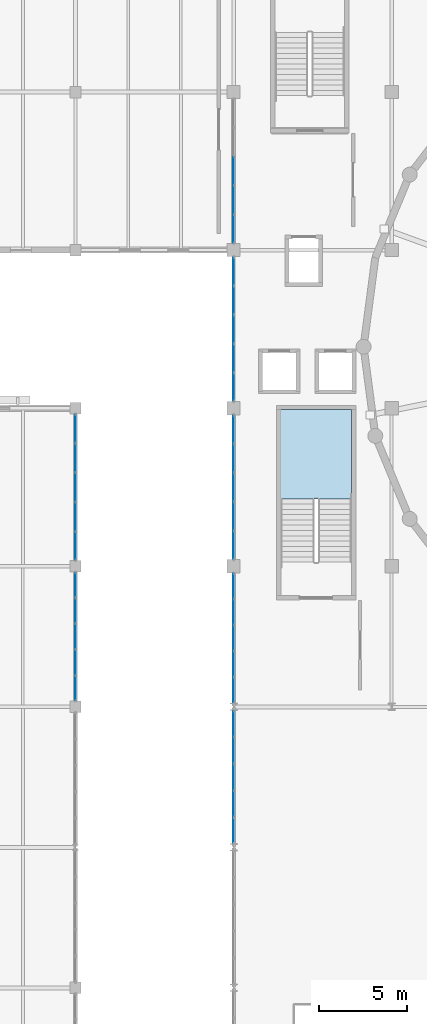
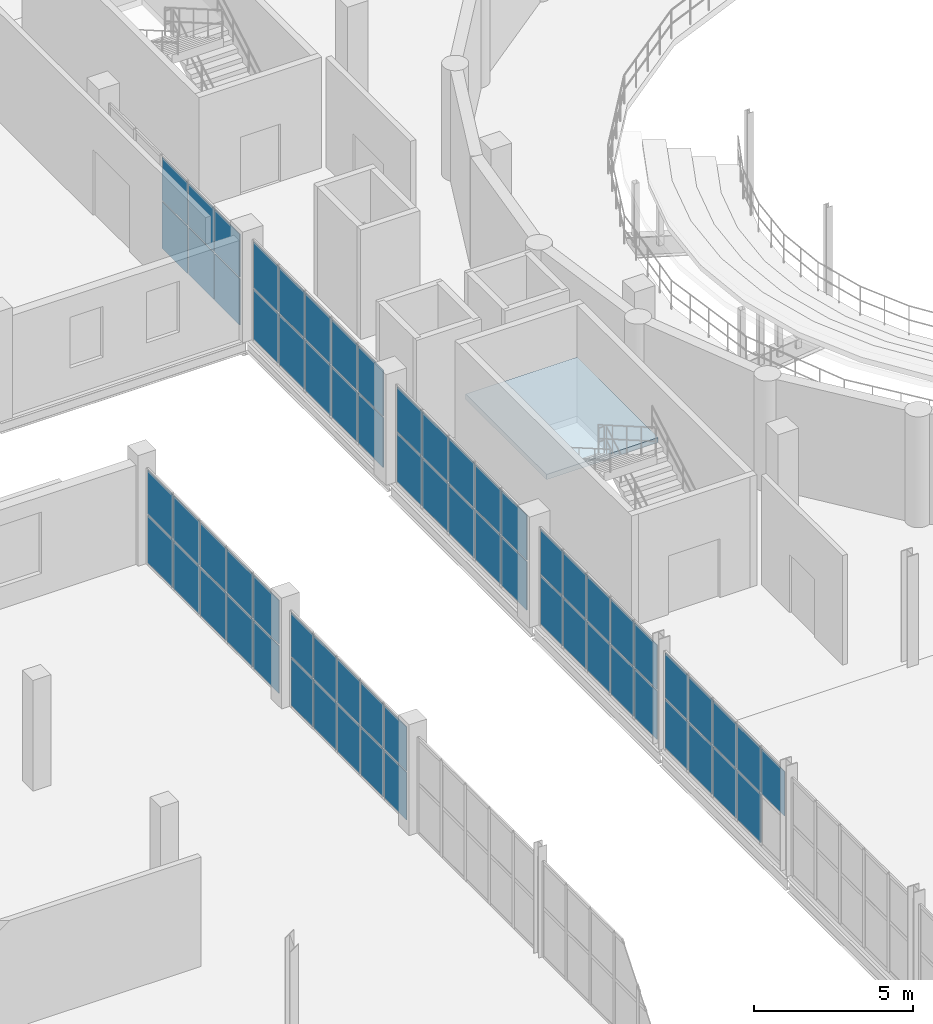
# One storey, part 51 of 85: 65 plates, 1 slab, 8 elements without a shape of their own.
"""IFC4 building model written with IfcOpenShell, lengths in metres."""

from ifc_helpers import new_model, si_unit, direction, frame, origin, origin_2d, place, context, subcontext, project, spatial, polyline, rectangle, outline, extrude, material, layer, layer_set, type_object, element, aggregate, save


model = new_model("IFC4")

# Units and contexts
model_context = context("Model", 3, precision=1e-05, world=origin(), true_north=direction((0.0, 1.0)))
body_context = subcontext(model_context, "Body", "Model", "MODEL_VIEW")
ifc_project = project(units=[si_unit("LENGTHUNIT", "METRE"), si_unit("AREAUNIT", "SQUARE_METRE"), si_unit("VOLUMEUNIT", "CUBIC_METRE"), si_unit("PLANEANGLEUNIT", "RADIAN"), si_unit("MASSUNIT", "GRAM", prefix="KILO")], contexts=[model_context])

# Site, building, storey
site_placement = place(None, origin())
site = spatial("IfcSite", under=ifc_project, at=site_placement, CompositionType="ELEMENT")
building_placement = place(site_placement, origin())
building = spatial("IfcBuilding", under=site, at=building_placement, Name="Marnock Terrace Opera House", CompositionType="ELEMENT")
storey_placement = place(building_placement, frame((0.0, 0.0, 10.199951171875)))
storey = spatial("IfcBuildingStorey", under=building, at=storey_placement, Name="L02", CompositionType="ELEMENT", Elevation=10.199951171875)

# Curtain wall, plates
ifc_material_1 = material(Name="Anodised architectural bronze aluminium framing", Category="aluminium")
ifc_layer_1 = layer(ifc_material_1, 0.159912109375)
ifc_layer_set_1 = layer_set([ifc_layer_1], Name="Anodised architectural bronze aluminium framing")
curtain_wall_type_1 = type_object("IfcCurtainWallType", Name="CW-FOYER-80x42", PredefinedType="NOTDEFINED", material=ifc_layer_set_1)
curtain_wall_1_placement = place(storey_placement, origin())
curtain_wall_1 = element("IfcCurtainWall", 1, at=curtain_wall_1_placement, inside=storey, type_object=curtain_wall_type_1, Name="L02 glazed Beaux-Arts colonnade curtain wall CW-V1W-L02-04", PredefinedType="NOTDEFINED")
ifc_material_2 = material(Name="Double-glazed acoustic low-E laminated glass", Category="glass")
ifc_layer_2 = layer(ifc_material_2, 0.028076171875)
ifc_layer_set_2 = layer_set([ifc_layer_2], Name="Double-glazed acoustic low-E laminated glass")
plate_type_1 = type_object("IfcPlateType", Name="CWP-GLZ-28", PredefinedType="CURTAIN_PANEL", material=ifc_layer_set_2)
plate_1_placement = place(storey_placement, frame((55.0, 32.9716796875, 1.9814453125), z_axis=(0.0, 0.0, 1.0), x_axis=(0.0, 1.0, 0.0)))
plate_1 = element("IfcPlate", 2, at=plate_1_placement, type_object=plate_type_1, Name="CW-62 panel 1.2", PredefinedType="CURTAIN_PANEL", context=body_context, shape_type="SweptSolid", body=[
    extrude(rectangle(XDim=1.431640625, YDim=0.028076171875, at=origin_2d()), origin(), (0.0, 0.0, 1.0), 1.711181640625),
])
plate_2_placement = place(storey_placement, frame((55.0, 34.478515625, 0.06005859375), z_axis=(0.0, 0.0, 1.0), x_axis=(0.0, 1.0, 0.0)))
plate_2 = element("IfcPlate", 3, at=plate_2_placement, type_object=plate_type_1, Name="CW-62 panel 2.1", PredefinedType="CURTAIN_PANEL", context=body_context, shape_type="SweptSolid", body=[
    extrude(rectangle(XDim=1.461669921875, YDim=0.028076171875, at=origin_2d()), origin(), (0.0, 0.0, 1.0), 1.861328125),
])
plate_3_placement = place(storey_placement, frame((55.0, 34.478515625, 1.9814453125), z_axis=(0.0, 0.0, 1.0), x_axis=(0.0, 1.0, 0.0)))
plate_3 = element("IfcPlate", 4, at=plate_3_placement, type_object=plate_type_1, Name="CW-62 panel 2.2", PredefinedType="CURTAIN_PANEL", context=body_context, shape_type="SweptSolid", body=[
    extrude(rectangle(XDim=1.461669921875, YDim=0.028076171875, at=origin_2d()), origin(), (0.0, 0.0, 1.0), 1.711181640625),
])
plate_4_placement = place(storey_placement, frame((55.0, 36.0, 0.06005859375), z_axis=(0.0, 0.0, 1.0), x_axis=(0.0, 1.0, 0.0)))
plate_4 = element("IfcPlate", 5, at=plate_4_placement, type_object=plate_type_1, Name="CW-62 panel 3.1", PredefinedType="CURTAIN_PANEL", context=body_context, shape_type="SweptSolid", body=[
    extrude(rectangle(XDim=1.461669921875, YDim=0.028076171875, at=origin_2d()), origin(), (0.0, 0.0, 1.0), 1.861328125),
])
plate_5_placement = place(storey_placement, frame((55.0, 36.0, 1.9814453125), z_axis=(0.0, 0.0, 1.0), x_axis=(0.0, 1.0, 0.0)))
plate_5 = element("IfcPlate", 6, at=plate_5_placement, type_object=plate_type_1, Name="CW-62 panel 3.2", PredefinedType="CURTAIN_PANEL", context=body_context, shape_type="SweptSolid", body=[
    extrude(rectangle(XDim=1.461669921875, YDim=0.028076171875, at=origin_2d()), origin(), (0.0, 0.0, 1.0), 1.711181640625),
])
plate_6_placement = place(storey_placement, frame((55.0, 37.521484375, 0.06005859375), z_axis=(0.0, 0.0, 1.0), x_axis=(0.0, 1.0, 0.0)))
plate_6 = element("IfcPlate", 7, at=plate_6_placement, type_object=plate_type_1, Name="CW-62 panel 4.1", PredefinedType="CURTAIN_PANEL", context=body_context, shape_type="SweptSolid", body=[
    extrude(rectangle(XDim=1.461669921875, YDim=0.028076171875, at=origin_2d()), origin(), (0.0, 0.0, 1.0), 1.861328125),
])
plate_7_placement = place(storey_placement, frame((55.0, 37.521484375, 1.9814453125), z_axis=(0.0, 0.0, 1.0), x_axis=(0.0, 1.0, 0.0)))
plate_7 = element("IfcPlate", 8, at=plate_7_placement, type_object=plate_type_1, Name="CW-62 panel 4.2", PredefinedType="CURTAIN_PANEL", context=body_context, shape_type="SweptSolid", body=[
    extrude(rectangle(XDim=1.461669921875, YDim=0.028076171875, at=origin_2d()), origin(), (0.0, 0.0, 1.0), 1.711181640625),
])
plate_8_placement = place(storey_placement, frame((55.0, 39.0283203125, 0.06005859375), z_axis=(0.0, 0.0, 1.0), x_axis=(0.0, 1.0, 0.0)))
plate_8 = element("IfcPlate", 9, at=plate_8_placement, type_object=plate_type_1, Name="CW-62 panel 5.1", PredefinedType="CURTAIN_PANEL", context=body_context, shape_type="SweptSolid", body=[
    extrude(rectangle(XDim=1.431640625, YDim=0.028076171875, at=origin_2d()), origin(), (0.0, 0.0, 1.0), 1.861328125),
])
plate_9_placement = place(storey_placement, frame((55.0, 39.0283203125, 1.9814453125), z_axis=(0.0, 0.0, 1.0), x_axis=(0.0, 1.0, 0.0)))
plate_9 = element("IfcPlate", 10, at=plate_9_placement, type_object=plate_type_1, Name="CW-62 panel 5.2", PredefinedType="CURTAIN_PANEL", context=body_context, shape_type="SweptSolid", body=[
    extrude(rectangle(XDim=1.431640625, YDim=0.028076171875, at=origin_2d()), origin(), (0.0, 0.0, 1.0), 1.711181640625),
])
aggregate(curtain_wall_1, [plate_1, plate_2, plate_3, plate_4, plate_5, plate_6, plate_7, plate_8, plate_9])

curtain_wall_2_placement = place(storey_placement, origin())
curtain_wall_2 = element("IfcCurtainWall", 11, at=curtain_wall_2_placement, inside=storey, type_object=curtain_wall_type_1, Name="L02 glazed Beaux-Arts colonnade curtain wall CW-V1W-L02-05", PredefinedType="NOTDEFINED")
plate_10_placement = place(storey_placement, frame((55.0, 40.954345703125, 0.06005859375), z_axis=(0.0, 0.0, 1.0), x_axis=(0.0, 1.0, 0.0)))
plate_10 = element("IfcPlate", 12, at=plate_10_placement, type_object=plate_type_1, Name="CW-62 panel 1.1", PredefinedType="CURTAIN_PANEL", context=body_context, shape_type="SweptSolid", body=[
    extrude(rectangle(XDim=1.396484375, YDim=0.028076171875, at=origin_2d()), origin(), (0.0, 0.0, 1.0), 1.861328125),
])
plate_11_placement = place(storey_placement, frame((55.0, 40.954345703125, 1.9814453125), z_axis=(0.0, 0.0, 1.0), x_axis=(0.0, 1.0, 0.0)))
plate_11 = element("IfcPlate", 13, at=plate_11_placement, type_object=plate_type_1, Name="CW-62 panel 1.2", PredefinedType="CURTAIN_PANEL", context=body_context, shape_type="SweptSolid", body=[
    extrude(rectangle(XDim=1.396484375, YDim=0.028076171875, at=origin_2d()), origin(), (0.0, 0.0, 1.0), 1.711181640625),
])
plate_12_placement = place(storey_placement, frame((55.0, 42.42578125, 0.06005859375), z_axis=(0.0, 0.0, 1.0), x_axis=(0.0, 1.0, 0.0)))
plate_12 = element("IfcPlate", 14, at=plate_12_placement, type_object=plate_type_1, Name="CW-62 panel 2.1", PredefinedType="CURTAIN_PANEL", context=body_context, shape_type="SweptSolid", body=[
    extrude(rectangle(XDim=1.426513671875, YDim=0.028076171875, at=origin_2d()), origin(), (0.0, 0.0, 1.0), 1.861328125),
])
plate_13_placement = place(storey_placement, frame((55.0, 42.42578125, 1.9814453125), z_axis=(0.0, 0.0, 1.0), x_axis=(0.0, 1.0, 0.0)))
plate_13 = element("IfcPlate", 15, at=plate_13_placement, type_object=plate_type_1, Name="CW-62 panel 2.2", PredefinedType="CURTAIN_PANEL", context=body_context, shape_type="SweptSolid", body=[
    extrude(rectangle(XDim=1.426513671875, YDim=0.028076171875, at=origin_2d()), origin(), (0.0, 0.0, 1.0), 1.711181640625),
])
plate_14_placement = place(storey_placement, frame((55.0, 43.91259765625, 0.06005859375), z_axis=(0.0, 0.0, 1.0), x_axis=(0.0, 1.0, 0.0)))
plate_14 = element("IfcPlate", 16, at=plate_14_placement, type_object=plate_type_1, Name="CW-62 panel 3.1", PredefinedType="CURTAIN_PANEL", context=body_context, shape_type="SweptSolid", body=[
    extrude(rectangle(XDim=1.426513671875, YDim=0.028076171875, at=origin_2d()), origin(), (0.0, 0.0, 1.0), 1.861328125),
])
plate_15_placement = place(storey_placement, frame((55.0, 43.91259765625, 1.9814453125), z_axis=(0.0, 0.0, 1.0), x_axis=(0.0, 1.0, 0.0)))
plate_15 = element("IfcPlate", 17, at=plate_15_placement, type_object=plate_type_1, Name="CW-62 panel 3.2", PredefinedType="CURTAIN_PANEL", context=body_context, shape_type="SweptSolid", body=[
    extrude(rectangle(XDim=1.426513671875, YDim=0.028076171875, at=origin_2d()), origin(), (0.0, 0.0, 1.0), 1.711181640625),
])
plate_16_placement = place(storey_placement, frame((55.0, 45.399169921875, 0.06005859375), z_axis=(0.0, 0.0, 1.0), x_axis=(0.0, 1.0, 0.0)))
plate_16 = element("IfcPlate", 18, at=plate_16_placement, type_object=plate_type_1, Name="CW-62 panel 4.1", PredefinedType="CURTAIN_PANEL", context=body_context, shape_type="SweptSolid", body=[
    extrude(rectangle(XDim=1.426513671875, YDim=0.028076171875, at=origin_2d()), origin(), (0.0, 0.0, 1.0), 1.861328125),
])
plate_17_placement = place(storey_placement, frame((55.0, 45.399169921875, 1.9814453125), z_axis=(0.0, 0.0, 1.0), x_axis=(0.0, 1.0, 0.0)))
plate_17 = element("IfcPlate", 19, at=plate_17_placement, type_object=plate_type_1, Name="CW-62 panel 4.2", PredefinedType="CURTAIN_PANEL", context=body_context, shape_type="SweptSolid", body=[
    extrude(rectangle(XDim=1.426513671875, YDim=0.028076171875, at=origin_2d()), origin(), (0.0, 0.0, 1.0), 1.711181640625),
])
plate_18_placement = place(storey_placement, frame((55.0, 46.87060546875, 0.06005859375), z_axis=(0.0, 0.0, 1.0), x_axis=(0.0, 1.0, 0.0)))
plate_18 = element("IfcPlate", 20, at=plate_18_placement, type_object=plate_type_1, Name="CW-62 panel 5.1", PredefinedType="CURTAIN_PANEL", context=body_context, shape_type="SweptSolid", body=[
    extrude(rectangle(XDim=1.396484375, YDim=0.028076171875, at=origin_2d()), origin(), (0.0, 0.0, 1.0), 1.861328125),
])
plate_19_placement = place(storey_placement, frame((55.0, 46.87060546875, 1.9814453125), z_axis=(0.0, 0.0, 1.0), x_axis=(0.0, 1.0, 0.0)))
plate_19 = element("IfcPlate", 21, at=plate_19_placement, type_object=plate_type_1, Name="CW-62 panel 5.2", PredefinedType="CURTAIN_PANEL", context=body_context, shape_type="SweptSolid", body=[
    extrude(rectangle(XDim=1.396484375, YDim=0.028076171875, at=origin_2d()), origin(), (0.0, 0.0, 1.0), 1.711181640625),
])
aggregate(curtain_wall_2, [plate_10, plate_11, plate_12, plate_13, plate_14, plate_15, plate_16, plate_17, plate_18, plate_19])

ifc_layer_3 = layer(ifc_material_1, 0.159912109375)
ifc_layer_set_3 = layer_set([ifc_layer_3], Name="Anodised architectural bronze aluminium framing")
curtain_wall_type_2 = type_object("IfcCurtainWallType", Name="CW-FOYER-90x42", PredefinedType="NOTDEFINED", material=ifc_layer_set_3)
curtain_wall_3_placement = place(storey_placement, origin())
curtain_wall_3 = element("IfcCurtainWall", 22, at=curtain_wall_3_placement, inside=storey, type_object=curtain_wall_type_2, Name="L02 glazed Beaux-Arts colonnade curtain wall CW-V1W-L02-06", PredefinedType="NOTDEFINED")
plate_20_placement = place(storey_placement, frame((55.0, 49.2119140625, 0.06005859375), z_axis=(0.0, 0.0, 1.0), x_axis=(0.0, 1.0, 0.0)))
plate_20 = element("IfcPlate", 23, at=plate_20_placement, type_object=plate_type_1, Name="CW-68 panel 1.1", PredefinedType="CURTAIN_PANEL", context=body_context, shape_type="SweptSolid", body=[
    extrude(rectangle(XDim=1.5615234375, YDim=0.028076171875, at=origin_2d()), origin(), (0.0, 0.0, 1.0), 1.861328125),
])
plate_21_placement = place(storey_placement, frame((55.0, 49.2119140625, 1.9814453125), z_axis=(0.0, 0.0, 1.0), x_axis=(0.0, 1.0, 0.0)))
plate_21 = element("IfcPlate", 24, at=plate_21_placement, type_object=plate_type_1, Name="CW-68 panel 1.2", PredefinedType="CURTAIN_PANEL", context=body_context, shape_type="SweptSolid", body=[
    extrude(rectangle(XDim=1.5615234375, YDim=0.028076171875, at=origin_2d()), origin(), (0.0, 0.0, 1.0), 1.711181640625),
])
plate_22_placement = place(storey_placement, frame((55.0, 50.848388671875, 0.06005859375), z_axis=(0.0, 0.0, 1.0), x_axis=(0.0, 1.0, 0.0)))
plate_22 = element("IfcPlate", 25, at=plate_22_placement, type_object=plate_type_1, Name="CW-68 panel 2.1", PredefinedType="CURTAIN_PANEL", context=body_context, shape_type="SweptSolid", body=[
    extrude(rectangle(XDim=1.591552734375, YDim=0.028076171875, at=origin_2d()), origin(), (0.0, 0.0, 1.0), 1.861328125),
])
plate_23_placement = place(storey_placement, frame((55.0, 50.848388671875, 1.9814453125), z_axis=(0.0, 0.0, 1.0), x_axis=(0.0, 1.0, 0.0)))
plate_23 = element("IfcPlate", 26, at=plate_23_placement, type_object=plate_type_1, Name="CW-68 panel 2.2", PredefinedType="CURTAIN_PANEL", context=body_context, shape_type="SweptSolid", body=[
    extrude(rectangle(XDim=1.591552734375, YDim=0.028076171875, at=origin_2d()), origin(), (0.0, 0.0, 1.0), 1.711181640625),
])
plate_24_placement = place(storey_placement, frame((55.0, 52.5, 0.06005859375), z_axis=(0.0, 0.0, 1.0), x_axis=(0.0, 1.0, 0.0)))
plate_24 = element("IfcPlate", 27, at=plate_24_placement, type_object=plate_type_1, Name="CW-68 panel 3.1", PredefinedType="CURTAIN_PANEL", context=body_context, shape_type="SweptSolid", body=[
    extrude(rectangle(XDim=1.591552734375, YDim=0.028076171875, at=origin_2d()), origin(), (0.0, 0.0, 1.0), 1.861328125),
])
plate_25_placement = place(storey_placement, frame((55.0, 52.5, 1.9814453125), z_axis=(0.0, 0.0, 1.0), x_axis=(0.0, 1.0, 0.0)))
plate_25 = element("IfcPlate", 28, at=plate_25_placement, type_object=plate_type_1, Name="CW-68 panel 3.2", PredefinedType="CURTAIN_PANEL", context=body_context, shape_type="SweptSolid", body=[
    extrude(rectangle(XDim=1.591552734375, YDim=0.028076171875, at=origin_2d()), origin(), (0.0, 0.0, 1.0), 1.711181640625),
])
plate_26_placement = place(storey_placement, frame((55.0, 54.151611328125, 0.06005859375), z_axis=(0.0, 0.0, 1.0), x_axis=(0.0, 1.0, 0.0)))
plate_26 = element("IfcPlate", 29, at=plate_26_placement, type_object=plate_type_1, Name="CW-68 panel 4.1", PredefinedType="CURTAIN_PANEL", context=body_context, shape_type="SweptSolid", body=[
    extrude(rectangle(XDim=1.591552734375, YDim=0.028076171875, at=origin_2d()), origin(), (0.0, 0.0, 1.0), 1.861328125),
])
plate_27_placement = place(storey_placement, frame((55.0, 54.151611328125, 1.9814453125), z_axis=(0.0, 0.0, 1.0), x_axis=(0.0, 1.0, 0.0)))
plate_27 = element("IfcPlate", 30, at=plate_27_placement, type_object=plate_type_1, Name="CW-68 panel 4.2", PredefinedType="CURTAIN_PANEL", context=body_context, shape_type="SweptSolid", body=[
    extrude(rectangle(XDim=1.591552734375, YDim=0.028076171875, at=origin_2d()), origin(), (0.0, 0.0, 1.0), 1.711181640625),
])
plate_28_placement = place(storey_placement, frame((55.0, 55.7880859375, 0.06005859375), z_axis=(0.0, 0.0, 1.0), x_axis=(0.0, 1.0, 0.0)))
plate_28 = element("IfcPlate", 31, at=plate_28_placement, type_object=plate_type_1, Name="CW-68 panel 5.1", PredefinedType="CURTAIN_PANEL", context=body_context, shape_type="SweptSolid", body=[
    extrude(rectangle(XDim=1.5615234375, YDim=0.028076171875, at=origin_2d()), origin(), (0.0, 0.0, 1.0), 1.861328125),
])
plate_29_placement = place(storey_placement, frame((55.0, 55.7880859375, 1.9814453125), z_axis=(0.0, 0.0, 1.0), x_axis=(0.0, 1.0, 0.0)))
plate_29 = element("IfcPlate", 32, at=plate_29_placement, type_object=plate_type_1, Name="CW-68 panel 5.2", PredefinedType="CURTAIN_PANEL", context=body_context, shape_type="SweptSolid", body=[
    extrude(rectangle(XDim=1.5615234375, YDim=0.028076171875, at=origin_2d()), origin(), (0.0, 0.0, 1.0), 1.711181640625),
])
aggregate(curtain_wall_3, [plate_20, plate_21, plate_22, plate_23, plate_24, plate_25, plate_26, plate_27, plate_28, plate_29])

curtain_wall_4_placement = place(storey_placement, origin())
curtain_wall_4 = element("IfcCurtainWall", 33, at=curtain_wall_4_placement, inside=storey, type_object=curtain_wall_type_2, Name="L02 glazed Beaux-Arts colonnade curtain wall CW-V1W-L02-07", PredefinedType="NOTDEFINED")
plate_30_placement = place(storey_placement, frame((55.0, 58.2119140625, 0.06005859375), z_axis=(0.0, 0.0, 1.0), x_axis=(0.0, 1.0, 0.0)))
plate_30 = element("IfcPlate", 34, at=plate_30_placement, type_object=plate_type_1, Name="CW-68 panel 1.1", PredefinedType="CURTAIN_PANEL", context=body_context, shape_type="SweptSolid", body=[
    extrude(rectangle(XDim=1.5615234375, YDim=0.028076171875, at=origin_2d()), origin(), (0.0, 0.0, 1.0), 1.9091796875),
])
plate_31_placement = place(storey_placement, frame((55.0, 58.2119140625, 2.029052734375), z_axis=(0.0, 0.0, 1.0), x_axis=(0.0, 1.0, 0.0)))
plate_31 = element("IfcPlate", 35, at=plate_31_placement, type_object=plate_type_1, Name="CW-68 panel 1.2", PredefinedType="CURTAIN_PANEL", context=body_context, shape_type="SweptSolid", body=[
    extrude(rectangle(XDim=1.5615234375, YDim=0.028076171875, at=origin_2d()), origin(), (0.0, 0.0, 1.0), 1.75537109375),
])
plate_32_placement = place(storey_placement, frame((55.0, 59.848388671875, 0.06005859375), z_axis=(0.0, 0.0, 1.0), x_axis=(0.0, 1.0, 0.0)))
plate_32 = element("IfcPlate", 36, at=plate_32_placement, type_object=plate_type_1, Name="CW-68 panel 2.1", PredefinedType="CURTAIN_PANEL", context=body_context, shape_type="SweptSolid", body=[
    extrude(rectangle(XDim=1.591552734375, YDim=0.028076171875, at=origin_2d()), origin(), (0.0, 0.0, 1.0), 1.9091796875),
])
plate_33_placement = place(storey_placement, frame((55.0, 59.848388671875, 2.029052734375), z_axis=(0.0, 0.0, 1.0), x_axis=(0.0, 1.0, 0.0)))
plate_33 = element("IfcPlate", 37, at=plate_33_placement, type_object=plate_type_1, Name="CW-68 panel 2.2", PredefinedType="CURTAIN_PANEL", context=body_context, shape_type="SweptSolid", body=[
    extrude(rectangle(XDim=1.591552734375, YDim=0.028076171875, at=origin_2d()), origin(), (0.0, 0.0, 1.0), 1.75537109375),
])
plate_34_placement = place(storey_placement, frame((55.0, 61.5, 0.06005859375), z_axis=(0.0, 0.0, 1.0), x_axis=(0.0, 1.0, 0.0)))
plate_34 = element("IfcPlate", 38, at=plate_34_placement, type_object=plate_type_1, Name="CW-68 panel 3.1", PredefinedType="CURTAIN_PANEL", context=body_context, shape_type="SweptSolid", body=[
    extrude(rectangle(XDim=1.591552734375, YDim=0.028076171875, at=origin_2d()), origin(), (0.0, 0.0, 1.0), 1.9091796875),
])
plate_35_placement = place(storey_placement, frame((55.0, 61.5, 2.029052734375), z_axis=(0.0, 0.0, 1.0), x_axis=(0.0, 1.0, 0.0)))
plate_35 = element("IfcPlate", 39, at=plate_35_placement, type_object=plate_type_1, Name="CW-68 panel 3.2", PredefinedType="CURTAIN_PANEL", context=body_context, shape_type="SweptSolid", body=[
    extrude(rectangle(XDim=1.591552734375, YDim=0.028076171875, at=origin_2d()), origin(), (0.0, 0.0, 1.0), 1.75537109375),
])
plate_36_placement = place(storey_placement, frame((55.0, 63.151611328125, 0.06005859375), z_axis=(0.0, 0.0, 1.0), x_axis=(0.0, 1.0, 0.0)))
plate_36 = element("IfcPlate", 40, at=plate_36_placement, type_object=plate_type_1, Name="CW-68 panel 4.1", PredefinedType="CURTAIN_PANEL", context=body_context, shape_type="SweptSolid", body=[
    extrude(rectangle(XDim=1.591552734375, YDim=0.028076171875, at=origin_2d()), origin(), (0.0, 0.0, 1.0), 1.9091796875),
])
plate_37_placement = place(storey_placement, frame((55.0, 63.151611328125, 2.029052734375), z_axis=(0.0, 0.0, 1.0), x_axis=(0.0, 1.0, 0.0)))
plate_37 = element("IfcPlate", 41, at=plate_37_placement, type_object=plate_type_1, Name="CW-68 panel 4.2", PredefinedType="CURTAIN_PANEL", context=body_context, shape_type="SweptSolid", body=[
    extrude(rectangle(XDim=1.591552734375, YDim=0.028076171875, at=origin_2d()), origin(), (0.0, 0.0, 1.0), 1.75537109375),
])
plate_38_placement = place(storey_placement, frame((55.0, 64.7880859375, 0.06005859375), z_axis=(0.0, 0.0, 1.0), x_axis=(0.0, 1.0, 0.0)))
plate_38 = element("IfcPlate", 42, at=plate_38_placement, type_object=plate_type_1, Name="CW-68 panel 5.1", PredefinedType="CURTAIN_PANEL", context=body_context, shape_type="SweptSolid", body=[
    extrude(rectangle(XDim=1.5615234375, YDim=0.028076171875, at=origin_2d()), origin(), (0.0, 0.0, 1.0), 1.9091796875),
])
plate_39_placement = place(storey_placement, frame((55.0, 64.7880859375, 2.029052734375), z_axis=(0.0, 0.0, 1.0), x_axis=(0.0, 1.0, 0.0)))
plate_39 = element("IfcPlate", 43, at=plate_39_placement, type_object=plate_type_1, Name="CW-68 panel 5.2", PredefinedType="CURTAIN_PANEL", context=body_context, shape_type="SweptSolid", body=[
    extrude(rectangle(XDim=1.5615234375, YDim=0.028076171875, at=origin_2d()), origin(), (0.0, 0.0, 1.0), 1.75537109375),
])
aggregate(curtain_wall_4, [plate_30, plate_31, plate_32, plate_33, plate_34, plate_35, plate_36, plate_37, plate_38, plate_39])

ifc_layer_4 = layer(ifc_material_1, 0.159912109375)
ifc_layer_set_4 = layer_set([ifc_layer_4], Name="Anodised architectural bronze aluminium framing")
curtain_wall_type_3 = type_object("IfcCurtainWallType", Name="CW-COURT-80x42", PredefinedType="NOTDEFINED", material=ifc_layer_set_4)
curtain_wall_5_placement = place(storey_placement, origin())
curtain_wall_5 = element("IfcCurtainWall", 44, at=curtain_wall_5_placement, inside=storey, type_object=curtain_wall_type_3, Name="L02 glazed Beaux-Arts colonnade curtain wall CW-V3E-L02-05", PredefinedType="NOTDEFINED")
plate_40_placement = place(storey_placement, frame((46.0, 41.07177734375, 0.06005859375), z_axis=(0.0, 0.0, 1.0), x_axis=(0.0, 1.0, 0.0)))
plate_40 = element("IfcPlate", 45, at=plate_40_placement, type_object=plate_type_1, Name="CW-12 panel 1.1", PredefinedType="CURTAIN_PANEL", context=body_context, shape_type="SweptSolid", body=[
    extrude(rectangle(XDim=1.381591796875, YDim=0.028076171875, at=origin_2d()), origin(), (0.0, 0.0, 1.0), 1.8193359375),
])
plate_41_placement = place(storey_placement, frame((46.0, 41.07177734375, 1.939453125), z_axis=(0.0, 0.0, 1.0), x_axis=(0.0, 1.0, 0.0)))
plate_41 = element("IfcPlate", 46, at=plate_41_placement, type_object=plate_type_1, Name="CW-12 panel 1.2", PredefinedType="CURTAIN_PANEL", context=body_context, shape_type="SweptSolid", body=[
    extrude(rectangle(XDim=1.381591796875, YDim=0.028076171875, at=origin_2d()), origin(), (0.0, 0.0, 1.0), 1.672607421875),
])
plate_42_placement = place(storey_placement, frame((46.0, 42.5283203125, 0.06005859375), z_axis=(0.0, 0.0, 1.0), x_axis=(0.0, 1.0, 0.0)))
plate_42 = element("IfcPlate", 47, at=plate_42_placement, type_object=plate_type_1, Name="CW-12 panel 2.1", PredefinedType="CURTAIN_PANEL", context=body_context, shape_type="SweptSolid", body=[
    extrude(rectangle(XDim=1.41162109375, YDim=0.028076171875, at=origin_2d()), origin(), (0.0, 0.0, 1.0), 1.8193359375),
])
plate_43_placement = place(storey_placement, frame((46.0, 42.5283203125, 1.939453125), z_axis=(0.0, 0.0, 1.0), x_axis=(0.0, 1.0, 0.0)))
plate_43 = element("IfcPlate", 48, at=plate_43_placement, type_object=plate_type_1, Name="CW-12 panel 2.2", PredefinedType="CURTAIN_PANEL", context=body_context, shape_type="SweptSolid", body=[
    extrude(rectangle(XDim=1.41162109375, YDim=0.028076171875, at=origin_2d()), origin(), (0.0, 0.0, 1.0), 1.672607421875),
])
plate_44_placement = place(storey_placement, frame((46.0, 44.0, 0.06005859375), z_axis=(0.0, 0.0, 1.0), x_axis=(0.0, 1.0, 0.0)))
plate_44 = element("IfcPlate", 49, at=plate_44_placement, type_object=plate_type_1, Name="CW-12 panel 3.1", PredefinedType="CURTAIN_PANEL", context=body_context, shape_type="SweptSolid", body=[
    extrude(rectangle(XDim=1.41162109375, YDim=0.028076171875, at=origin_2d()), origin(), (0.0, 0.0, 1.0), 1.8193359375),
])
plate_45_placement = place(storey_placement, frame((46.0, 44.0, 1.939453125), z_axis=(0.0, 0.0, 1.0), x_axis=(0.0, 1.0, 0.0)))
plate_45 = element("IfcPlate", 50, at=plate_45_placement, type_object=plate_type_1, Name="CW-12 panel 3.2", PredefinedType="CURTAIN_PANEL", context=body_context, shape_type="SweptSolid", body=[
    extrude(rectangle(XDim=1.41162109375, YDim=0.028076171875, at=origin_2d()), origin(), (0.0, 0.0, 1.0), 1.672607421875),
])
plate_46_placement = place(storey_placement, frame((46.0, 45.4716796875, 0.06005859375), z_axis=(0.0, 0.0, 1.0), x_axis=(0.0, 1.0, 0.0)))
plate_46 = element("IfcPlate", 51, at=plate_46_placement, type_object=plate_type_1, Name="CW-12 panel 4.1", PredefinedType="CURTAIN_PANEL", context=body_context, shape_type="SweptSolid", body=[
    extrude(rectangle(XDim=1.41162109375, YDim=0.028076171875, at=origin_2d()), origin(), (0.0, 0.0, 1.0), 1.8193359375),
])
plate_47_placement = place(storey_placement, frame((46.0, 45.4716796875, 1.939453125), z_axis=(0.0, 0.0, 1.0), x_axis=(0.0, 1.0, 0.0)))
plate_47 = element("IfcPlate", 52, at=plate_47_placement, type_object=plate_type_1, Name="CW-12 panel 4.2", PredefinedType="CURTAIN_PANEL", context=body_context, shape_type="SweptSolid", body=[
    extrude(rectangle(XDim=1.41162109375, YDim=0.028076171875, at=origin_2d()), origin(), (0.0, 0.0, 1.0), 1.672607421875),
])
plate_48_placement = place(storey_placement, frame((46.0, 46.92822265625, 0.06005859375), z_axis=(0.0, 0.0, 1.0), x_axis=(0.0, 1.0, 0.0)))
plate_48 = element("IfcPlate", 53, at=plate_48_placement, type_object=plate_type_1, Name="CW-12 panel 5.1", PredefinedType="CURTAIN_PANEL", context=body_context, shape_type="SweptSolid", body=[
    extrude(rectangle(XDim=1.381591796875, YDim=0.028076171875, at=origin_2d()), origin(), (0.0, 0.0, 1.0), 1.8193359375),
])
plate_49_placement = place(storey_placement, frame((46.0, 46.92822265625, 1.939453125), z_axis=(0.0, 0.0, 1.0), x_axis=(0.0, 1.0, 0.0)))
plate_49 = element("IfcPlate", 54, at=plate_49_placement, type_object=plate_type_1, Name="CW-12 panel 5.2", PredefinedType="CURTAIN_PANEL", context=body_context, shape_type="SweptSolid", body=[
    extrude(rectangle(XDim=1.381591796875, YDim=0.028076171875, at=origin_2d()), origin(), (0.0, 0.0, 1.0), 1.672607421875),
])
aggregate(curtain_wall_5, [plate_40, plate_41, plate_42, plate_43, plate_44, plate_45, plate_46, plate_47, plate_48, plate_49])

curtain_wall_6_placement = place(storey_placement, origin())
curtain_wall_6 = element("IfcCurtainWall", 55, at=curtain_wall_6_placement, inside=storey, type_object=curtain_wall_type_3, Name="L02 glazed Beaux-Arts colonnade curtain wall CW-V3E-L02-06", PredefinedType="NOTDEFINED")
plate_50_placement = place(storey_placement, frame((46.0, 49.171875, 0.06005859375), z_axis=(0.0, 0.0, 1.0), x_axis=(0.0, 1.0, 0.0)))
plate_50 = element("IfcPlate", 56, at=plate_50_placement, type_object=plate_type_1, Name="CW-12 panel 1.1", PredefinedType="CURTAIN_PANEL", context=body_context, shape_type="SweptSolid", body=[
    extrude(rectangle(XDim=1.58154296875, YDim=0.028076171875, at=origin_2d()), origin(), (0.0, 0.0, 1.0), 1.8193359375),
])
plate_51_placement = place(storey_placement, frame((46.0, 49.171875, 1.939453125), z_axis=(0.0, 0.0, 1.0), x_axis=(0.0, 1.0, 0.0)))
plate_51 = element("IfcPlate", 57, at=plate_51_placement, type_object=plate_type_1, Name="CW-12 panel 1.2", PredefinedType="CURTAIN_PANEL", context=body_context, shape_type="SweptSolid", body=[
    extrude(rectangle(XDim=1.58154296875, YDim=0.028076171875, at=origin_2d()), origin(), (0.0, 0.0, 1.0), 1.672607421875),
])
plate_52_placement = place(storey_placement, frame((46.0, 50.828369140625, 0.06005859375), z_axis=(0.0, 0.0, 1.0), x_axis=(0.0, 1.0, 0.0)))
plate_52 = element("IfcPlate", 58, at=plate_52_placement, type_object=plate_type_1, Name="CW-12 panel 2.1", PredefinedType="CURTAIN_PANEL", context=body_context, shape_type="SweptSolid", body=[
    extrude(rectangle(XDim=1.611572265625, YDim=0.028076171875, at=origin_2d()), origin(), (0.0, 0.0, 1.0), 1.8193359375),
])
plate_53_placement = place(storey_placement, frame((46.0, 50.828369140625, 1.939453125), z_axis=(0.0, 0.0, 1.0), x_axis=(0.0, 1.0, 0.0)))
plate_53 = element("IfcPlate", 59, at=plate_53_placement, type_object=plate_type_1, Name="CW-12 panel 2.2", PredefinedType="CURTAIN_PANEL", context=body_context, shape_type="SweptSolid", body=[
    extrude(rectangle(XDim=1.611572265625, YDim=0.028076171875, at=origin_2d()), origin(), (0.0, 0.0, 1.0), 1.672607421875),
])
plate_54_placement = place(storey_placement, frame((46.0, 52.5, 0.06005859375), z_axis=(0.0, 0.0, 1.0), x_axis=(0.0, 1.0, 0.0)))
plate_54 = element("IfcPlate", 60, at=plate_54_placement, type_object=plate_type_1, Name="CW-12 panel 3.1", PredefinedType="CURTAIN_PANEL", context=body_context, shape_type="SweptSolid", body=[
    extrude(rectangle(XDim=1.611572265625, YDim=0.028076171875, at=origin_2d()), origin(), (0.0, 0.0, 1.0), 1.8193359375),
])
plate_55_placement = place(storey_placement, frame((46.0, 52.5, 1.939453125), z_axis=(0.0, 0.0, 1.0), x_axis=(0.0, 1.0, 0.0)))
plate_55 = element("IfcPlate", 61, at=plate_55_placement, type_object=plate_type_1, Name="CW-12 panel 3.2", PredefinedType="CURTAIN_PANEL", context=body_context, shape_type="SweptSolid", body=[
    extrude(rectangle(XDim=1.611572265625, YDim=0.028076171875, at=origin_2d()), origin(), (0.0, 0.0, 1.0), 1.672607421875),
])
plate_56_placement = place(storey_placement, frame((46.0, 54.171630859375, 0.06005859375), z_axis=(0.0, 0.0, 1.0), x_axis=(0.0, 1.0, 0.0)))
plate_56 = element("IfcPlate", 62, at=plate_56_placement, type_object=plate_type_1, Name="CW-12 panel 4.1", PredefinedType="CURTAIN_PANEL", context=body_context, shape_type="SweptSolid", body=[
    extrude(rectangle(XDim=1.611572265625, YDim=0.028076171875, at=origin_2d()), origin(), (0.0, 0.0, 1.0), 1.8193359375),
])
plate_57_placement = place(storey_placement, frame((46.0, 54.171630859375, 1.939453125), z_axis=(0.0, 0.0, 1.0), x_axis=(0.0, 1.0, 0.0)))
plate_57 = element("IfcPlate", 63, at=plate_57_placement, type_object=plate_type_1, Name="CW-12 panel 4.2", PredefinedType="CURTAIN_PANEL", context=body_context, shape_type="SweptSolid", body=[
    extrude(rectangle(XDim=1.611572265625, YDim=0.028076171875, at=origin_2d()), origin(), (0.0, 0.0, 1.0), 1.672607421875),
])
plate_58_placement = place(storey_placement, frame((46.0, 55.828125, 0.06005859375), z_axis=(0.0, 0.0, 1.0), x_axis=(0.0, 1.0, 0.0)))
plate_58 = element("IfcPlate", 64, at=plate_58_placement, type_object=plate_type_1, Name="CW-12 panel 5.1", PredefinedType="CURTAIN_PANEL", context=body_context, shape_type="SweptSolid", body=[
    extrude(rectangle(XDim=1.58154296875, YDim=0.028076171875, at=origin_2d()), origin(), (0.0, 0.0, 1.0), 1.8193359375),
])
plate_59_placement = place(storey_placement, frame((46.0, 55.828125, 1.939453125), z_axis=(0.0, 0.0, 1.0), x_axis=(0.0, 1.0, 0.0)))
plate_59 = element("IfcPlate", 65, at=plate_59_placement, type_object=plate_type_1, Name="CW-12 panel 5.2", PredefinedType="CURTAIN_PANEL", context=body_context, shape_type="SweptSolid", body=[
    extrude(rectangle(XDim=1.58154296875, YDim=0.028076171875, at=origin_2d()), origin(), (0.0, 0.0, 1.0), 1.672607421875),
])
aggregate(curtain_wall_6, [plate_50, plate_51, plate_52, plate_53, plate_54, plate_55, plate_56, plate_57, plate_58, plate_59])

curtain_wall_7_placement = place(storey_placement, origin())
curtain_wall_7 = element("IfcCurtainWall", 66, at=curtain_wall_7_placement, inside=storey, type_object=curtain_wall_type_2, Name="L02 glazed Beaux-Arts colonnade curtain wall CW-V1W-L02-08", PredefinedType="NOTDEFINED")
ifc_layer_5 = layer(ifc_material_1, 0.035888671875)
ifc_layer_set_5 = layer_set([ifc_layer_5], Name="Anodised architectural bronze aluminium framing")
plate_type_2 = type_object("IfcPlateType", Name="CWP-SPAND-36", PredefinedType="CURTAIN_PANEL", material=ifc_layer_set_5)
plate_60_placement = place(storey_placement, frame((55.0, 67.2119140625, 0.06005859375), z_axis=(0.0, 0.0, 1.0), x_axis=(0.0, 1.0, 0.0)))
plate_60 = element("IfcPlate", 67, at=plate_60_placement, type_object=plate_type_2, Name="CW-68 panel 1.1", PredefinedType="CURTAIN_PANEL", context=body_context, shape_type="SweptSolid", body=[
    extrude(rectangle(XDim=1.5615234375, YDim=0.028076171875, at=origin_2d()), origin(), (0.0, 0.0, 1.0), 1.781005859375),
])
plate_61_placement = place(storey_placement, frame((55.0, 67.2119140625, 1.90087890625), z_axis=(0.0, 0.0, 1.0), x_axis=(0.0, 1.0, 0.0)))
plate_61 = element("IfcPlate", 68, at=plate_61_placement, type_object=plate_type_2, Name="CW-68 panel 1.2", PredefinedType="CURTAIN_PANEL", context=body_context, shape_type="SweptSolid", body=[
    extrude(rectangle(XDim=1.5615234375, YDim=0.028076171875, at=origin_2d()), origin(), (0.0, 0.0, 1.0), 1.636962890625),
])
plate_62_placement = place(storey_placement, frame((55.0, 68.848388671875, 0.06005859375), z_axis=(0.0, 0.0, 1.0), x_axis=(0.0, 1.0, 0.0)))
plate_62 = element("IfcPlate", 69, at=plate_62_placement, type_object=plate_type_2, Name="CW-68 panel 2.1", PredefinedType="CURTAIN_PANEL", context=body_context, shape_type="SweptSolid", body=[
    extrude(rectangle(XDim=1.591552734375, YDim=0.028076171875, at=origin_2d()), origin(), (0.0, 0.0, 1.0), 1.781005859375),
])
plate_63_placement = place(storey_placement, frame((55.0, 68.848388671875, 1.90087890625), z_axis=(0.0, 0.0, 1.0), x_axis=(0.0, 1.0, 0.0)))
plate_63 = element("IfcPlate", 70, at=plate_63_placement, type_object=plate_type_2, Name="CW-68 panel 2.2", PredefinedType="CURTAIN_PANEL", context=body_context, shape_type="SweptSolid", body=[
    extrude(rectangle(XDim=1.591552734375, YDim=0.028076171875, at=origin_2d()), origin(), (0.0, 0.0, 1.0), 1.636962890625),
])
plate_64_placement = place(storey_placement, frame((55.0, 70.5, 0.06005859375), z_axis=(0.0, 0.0, 1.0), x_axis=(0.0, 1.0, 0.0)))
plate_64 = element("IfcPlate", 71, at=plate_64_placement, type_object=plate_type_2, Name="CW-68 panel 3.1", PredefinedType="CURTAIN_PANEL", context=body_context, shape_type="SweptSolid", body=[
    extrude(rectangle(XDim=1.591552734375, YDim=0.028076171875, at=origin_2d()), origin(), (0.0, 0.0, 1.0), 1.781005859375),
])
plate_65_placement = place(storey_placement, frame((55.0, 70.5, 1.90087890625), z_axis=(0.0, 0.0, 1.0), x_axis=(0.0, 1.0, 0.0)))
plate_65 = element("IfcPlate", 72, at=plate_65_placement, type_object=plate_type_2, Name="CW-68 panel 3.2", PredefinedType="CURTAIN_PANEL", context=body_context, shape_type="SweptSolid", body=[
    extrude(rectangle(XDim=1.591552734375, YDim=0.028076171875, at=origin_2d()), origin(), (0.0, 0.0, 1.0), 1.636962890625),
])
aggregate(curtain_wall_7, [plate_60, plate_61, plate_62, plate_63, plate_64, plate_65])

# Stair, slab
ifc_material_3 = material(Name="Concrete N40 (f'c = 40 MPa)", Category="concrete")
stair_type = type_object("IfcStairType", Name="ST-TYPE-2600", PredefinedType="HALF_TURN_STAIR", material=ifc_material_3)
stair_placement = place(storey_placement, origin())
stair = element("IfcStair", 73, at=stair_placement, inside=storey, type_object=stair_type, Name="L02 ST-01", PredefinedType="HALF_TURN_STAIR")
ifc_material_4 = material(Name="Concrete N32 (f'c = 32 MPa)", Category="concrete")
ifc_layer_6 = layer(ifc_material_4, 0.199951171875)
ifc_layer_set_6 = layer_set([ifc_layer_6], Name="Concrete N32 (f'c = 32 MPa)")
slab_type = type_object("IfcSlabType", Name="SL-LAND-200", PredefinedType="LANDING", material=ifc_layer_set_6)
slab_placement = place(storey_placement, frame((0.0, 0.0, 2.050048828125)))
slab = element("IfcSlab", 74, at=slab_placement, type_object=slab_type, Name="ST-01 landing 1", PredefinedType="LANDING", context=body_context, shape_type="SweptSolid", body=[
    extrude(outline(polyline([(61.719970703125, 51.840087890625), (61.719970703125, 56.919921875), (57.679931640625, 56.919921875), (57.679931640625, 51.840087890625), (61.719970703125, 51.840087890625)])), origin(), (0.0, 0.0, 1.0), 0.199951171875),
])
aggregate(stair, [slab])

save(model, "model.ifc")
